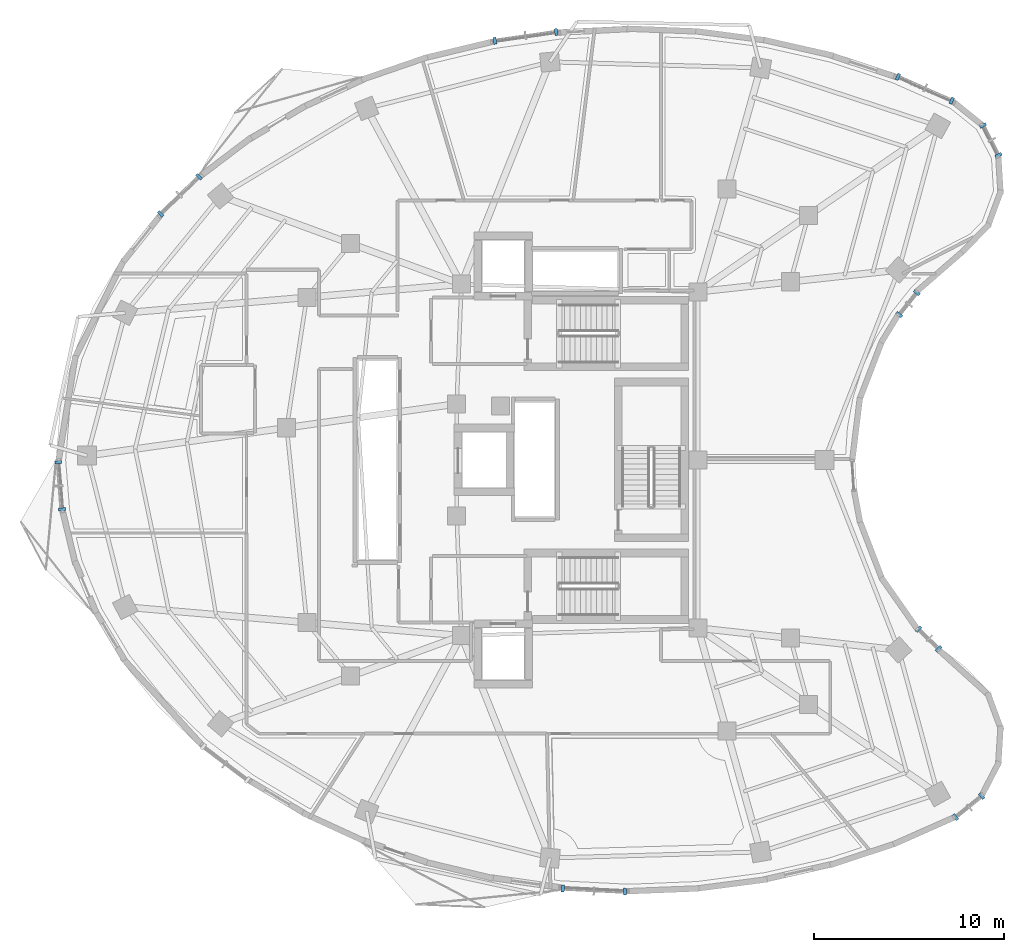
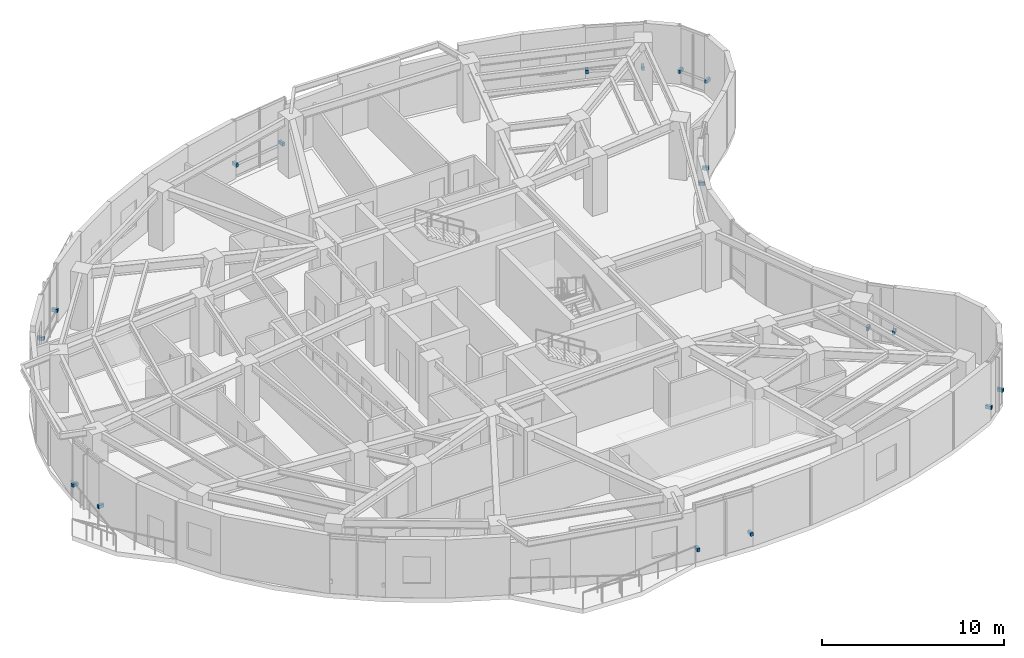
# One storey, part 12 of 15: 18 discrete accessories.
"""IFC4 building model written with IfcOpenShell, lengths in metres."""

from ifc_helpers import new_model, si_unit, direction, frame, origin, origin_2d, place, context, subcontext, project, spatial, rectangle, extrude, material, type_object, element, save


model = new_model("IFC4")

# Units and contexts
model_context = context("Model", 3, precision=1e-05, world=origin(), true_north=direction((0.0, 1.0)))
body_context = subcontext(model_context, "Body", "Model", "MODEL_VIEW")
ifc_project = project(units=[si_unit("LENGTHUNIT", "METRE"), si_unit("AREAUNIT", "SQUARE_METRE"), si_unit("VOLUMEUNIT", "CUBIC_METRE"), si_unit("PLANEANGLEUNIT", "RADIAN"), si_unit("MASSUNIT", "GRAM", prefix="KILO")], contexts=[model_context])

# Site, building, storey
site_placement = place(None, origin())
site = spatial("IfcSite", under=ifc_project, at=site_placement, CompositionType="ELEMENT")
building_placement = place(site_placement, origin())
building = spatial("IfcBuilding", under=site, at=building_placement, Name="Korentha Bioscience Tower", CompositionType="ELEMENT")
storey_placement = place(building_placement, frame((0.0, 0.0, 226.800048828125)))
storey = spatial("IfcBuildingStorey", under=building, at=storey_placement, Name="L52", CompositionType="ELEMENT", Elevation=226.800048828125)

# Discrete accessories
ifc_material = material(Name="Stainless Steel 316", Category="steel")
discrete_accessory_type = type_object("IfcDiscreteAccessoryType", Name="Stainless Steel Solar-Screen Outrigger Bracket", PredefinedType="BRACKET", material=ifc_material)
for number, where, z_axis, x_axis, name in (
    (1, (50.9072265625, 45.908203125, 0.73974609375), (0.0, 0.0, 1.0), (-0.913943941578, 0.405840450983, 0.0), "CW-L52-01 Solar-Screen Support Bracket 1"),
    (2, (48.077392578125, 47.164794921875, 0.73974609375), (0.0, 0.0, 1.0), (-0.913943941578, 0.405840450983, 0.0), "CW-L52-01 Solar-Screen Support Bracket 2"),
    (3, (30.085205078125, 49.523193359375, 0.73974609375), (0.0, 0.0, 1.0), (-0.989901889134, -0.141754188259, 0.0), "CW-L52-07 Solar-Screen Support Bracket 1"),
    (4, (26.860595703125, 49.0615234375, 0.73974609375), (0.0, 0.0, 1.0), (-0.989901889134, -0.141754188259, 0.0), "CW-L52-07 Solar-Screen Support Bracket 2"),
    (5, (11.289794921875, 41.903076171875, 0.73974609375), (0.0, 0.0, 1.0), (-0.719000359175, -0.695009700297, 0.0), "CW-L52-13 Solar-Screen Support Bracket 1"),
    (6, (9.26708984375, 39.94775390625, 0.73974609375), (0.0, 0.0, 1.0), (-0.719000359175, -0.695009700297, 0.0), "CW-L52-13 Solar-Screen Support Bracket 2"),
    (7, (3.876953125, 26.87939453125, 0.73974609375), (0.0, 0.0, 1.0), (0.07974803224, -0.996815053736, 0.0), "CW-L52-19 Solar-Screen Support Bracket 1"),
    (8, (4.075439453125, 24.39794921875, 0.73974609375), (0.0, 0.0, 1.0), (0.07974803224, -0.996815053736, 0.0), "CW-L52-19 Solar-Screen Support Bracket 2"),
    (9, (30.438720703125, 4.442626953125, 0.73974609375), (0.0, 0.0, 1.0), (0.998695818107, -0.051055488397, 0.0), "CW-L52-31 Solar-Screen Support Bracket 1"),
    (10, (33.712646484375, 4.275146484375, 0.73974609375), (0.0, 0.0, 1.0), (0.998695818107, -0.051055488397, 0.0), "CW-L52-31 Solar-Screen Support Bracket 2"),
    (11, (51.10205078125, 8.197021484375, 0.73974609375), (0.0, 0.0, 1.0), (0.779197616162, 0.626778330008, 0.0), "CW-L52-37 Solar-Screen Support Bracket 1"),
    (12, (52.481201171875, 9.306640625, 0.73974609375), (0.0, 0.0, 1.0), (0.779197616162, 0.626778330008, 0.0), "CW-L52-37 Solar-Screen Support Bracket 2"),
    (13, (50.21484375, 17.0537109375, 0.73974609375), (0.0, 0.0, 1.0), (-0.713258270268, 0.700901305388, 0.0), "CW-L52-43 Solar-Screen Support Bracket 1"),
    (14, (49.158447265625, 18.092041015625, 0.73974609375), (0.0, 0.0, 1.0), (-0.713258270268, 0.700901305388, 0.0), "CW-L52-43 Solar-Screen Support Bracket 2"),
    (15, (48.145751953125, 34.648193359375, 0.73974609375), (0.0, 0.0, 1.0), (0.622511989066, 0.782610262819, 0.0), "CW-L52-55 Solar-Screen Support Bracket 1"),
    (16, (49.06787109375, 35.8076171875, 0.73974609375), (0.0, 0.0, 1.0), (0.622511989066, 0.782610262819, 0.0), "CW-L52-55 Solar-Screen Support Bracket 2"),
    (17, (53.3662109375, 43.034423828125, 0.73974609375), (0.0, 0.0, 1.0), (-0.459738031963, 0.888054582763, 0.0), "CW-L52-61 Solar-Screen Support Bracket 1"),
    (18, (52.552490234375, 44.606201171875, 0.73974609375), (0.0, 0.0, 1.0), (-0.459738031963, 0.888054582763, 0.0), "CW-L52-61 Solar-Screen Support Bracket 2"),
):
    element("IfcDiscreteAccessory", number, at=place(storey_placement, frame(where, z_axis=z_axis, x_axis=x_axis)), inside=storey, type_object=discrete_accessory_type, Name=name, PredefinedType="BRACKET", context=body_context, shape_type="SweptSolid", body=[
        extrude(rectangle(XDim=0.159912109375, YDim=0.360107421875, at=origin_2d()), origin(), (0.0, 0.0, 1.0), 0.219970703125),
    ])

save(model, "model.ifc")
